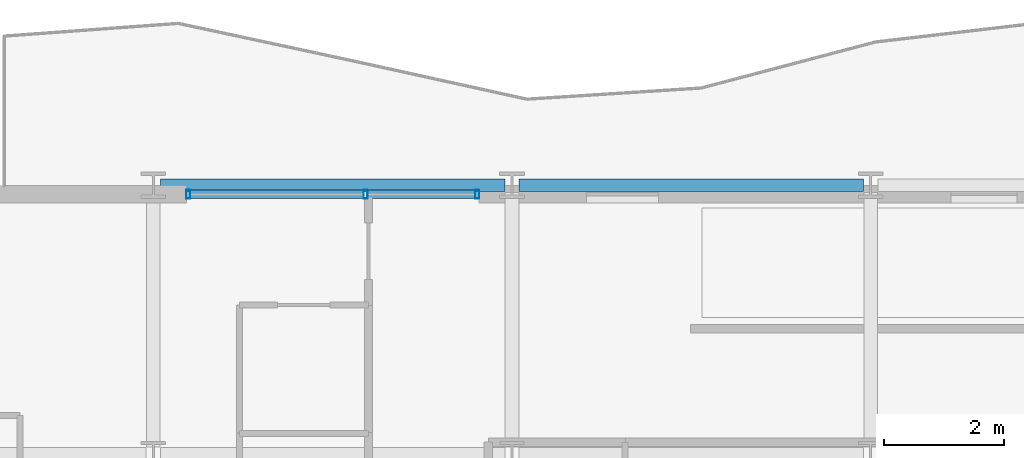
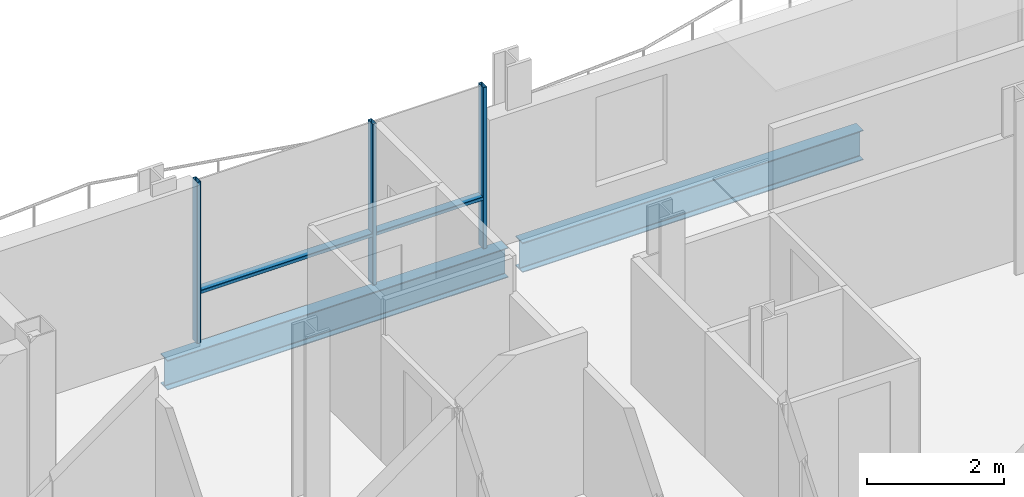
# One storey, part 21 of 41: 5 members, 2 beams, 1 element without a shape of its own.
"""IFC4 building model written with IfcOpenShell, lengths in metres."""

from ifc_helpers import new_model, si_unit, direction, frame, origin, origin_2d, place, context, subcontext, project, spatial, hollow_rectangle, i_section, extrude, material, layer, layer_set, material_profile, profile_set, type_object, element, aggregate, save


model = new_model("IFC4")

# Units and contexts
model_context = context("Model", 3, precision=1e-05, world=origin(), true_north=direction((0.0, 1.0)))
body_context = subcontext(model_context, "Body", "Model", "MODEL_VIEW")
ifc_project = project(units=[si_unit("LENGTHUNIT", "METRE"), si_unit("AREAUNIT", "SQUARE_METRE"), si_unit("VOLUMEUNIT", "CUBIC_METRE"), si_unit("PLANEANGLEUNIT", "RADIAN"), si_unit("MASSUNIT", "GRAM", prefix="KILO")], contexts=[model_context])

# Site, building, storey
site_placement = place(None, origin())
site = spatial("IfcSite", under=ifc_project, at=site_placement, CompositionType="ELEMENT")
building_placement = place(site_placement, origin())
building = spatial("IfcBuilding", under=site, at=building_placement, Name="Brevholm Reach", CompositionType="ELEMENT")
storey_placement = place(building_placement, frame((0.0, 0.0, 100.39990234375)))
storey = spatial("IfcBuildingStorey", under=building, at=storey_placement, Name="L29", CompositionType="ELEMENT", Elevation=100.39990234375)

# Beams
ifc_material_1 = material(Name="Structural Steel S355J2", Category="steel")
ifc_material_profile_1 = material_profile(ifc_material_1, i_section(OverallWidth=0.209228515625, OverallDepth=0.533203125, WebThickness=0.010009765625, FlangeThickness=0.015625, FilletRadius=0.0126953125, at=origin_2d()), Name="UKB 533x210x92")
ifc_profile_set_1 = profile_set([ifc_material_profile_1], Name="Structural Steel S355J2")
beam_type = type_object("IfcBeamType", Name="BM-SP533", PredefinedType="SPANDREL", material=ifc_profile_set_1)
for number, where, z_axis, x_axis, name in (
    (1, (6.1201171875, 31.0, -0.486572265625), (1.0, 0.0, 0.0), (0.0, 1.0, 0.0), "L29 SP-02 Framing Beam"),
    (2, (12.1201171875, 31.0, -0.486572265625), (1.0, 0.0, 0.0), (0.0, 1.0, 0.0), "L29 SP-02 Framing Beam"),
):
    element("IfcBeam", number, at=place(storey_placement, frame(where, z_axis=z_axis, x_axis=x_axis)), inside=storey, type_object=beam_type, Name=name, PredefinedType="SPANDREL", context=body_context, shape_type="SweptSolid", body=[
        extrude(i_section(OverallWidth=0.209228515625, OverallDepth=0.533203125, WebThickness=0.010009765625, FlangeThickness=0.015625, FilletRadius=0.0126953125, at=origin_2d()), origin(), (0.0, 0.0, 1.0), 5.759765625),
    ])

# Curtain wall, members
ifc_material_2 = material(Name="Dark Anodised Aluminium 6063-T6 and Solar-Control Glass", Category="aluminium")
ifc_layer = layer(ifc_material_2, 0.14990234375)
ifc_layer_set = layer_set([ifc_layer], Name="Dark Anodised Aluminium 6063-T6 and Solar-Control Glass")
curtain_wall_type = type_object("IfcCurtainWallType", Name="CW-01", PredefinedType="NOTDEFINED", material=ifc_layer_set)
curtain_wall_placement = place(storey_placement, origin())
curtain_wall = element("IfcCurtainWall", 3, at=curtain_wall_placement, inside=storey, type_object=curtain_wall_type, Name="L29 Curtain Wall CW-01", PredefinedType="NOTDEFINED")
ifc_material_3 = material(Name="Dark Anodised Aluminium 6063-T6", Category="aluminium")
ifc_material_profile_2 = material_profile(ifc_material_3, hollow_rectangle(XDim=0.06494140625, YDim=0.14990234375, WallThickness=0.0048828125, InnerFilletRadius=0.0048828125, OuterFilletRadius=0.010009765625, at=origin_2d()), Name="RHS 150x65x5")
ifc_profile_set_2 = profile_set([ifc_material_profile_2], Name="Dark Anodised Aluminium 6063-T6")
member_type_1 = type_object("IfcMemberType", Name="CWM-150", PredefinedType="MULLION", material=ifc_profile_set_2)
member_1_placement = place(storey_placement, frame((6.58251953125, 30.85009765625, 0.0), z_axis=(0.0, 0.0, 1.0), x_axis=(1.0, 0.0, 0.0)))
member_1 = element("IfcMember", 4, at=member_1_placement, type_object=member_type_1, Name="CM-150 Mullion 1", PredefinedType="MULLION", context=body_context, shape_type="SweptSolid", body=[
    extrude(hollow_rectangle(XDim=0.06494140625, YDim=0.14990234375, WallThickness=0.0048828125, InnerFilletRadius=0.0048828125, OuterFilletRadius=0.010009765625, at=origin_2d()), origin(), (0.0, 0.0, 1.0), 2.880126953125),
])
member_2_placement = place(storey_placement, frame((9.550048828125, 30.85009765625, 0.0), z_axis=(0.0, 0.0, 1.0), x_axis=(1.0, 0.0, 0.0)))
member_2 = element("IfcMember", 5, at=member_2_placement, type_object=member_type_1, Name="CM-150 Mullion 2", PredefinedType="MULLION", context=body_context, shape_type="SweptSolid", body=[
    extrude(hollow_rectangle(XDim=0.06494140625, YDim=0.14990234375, WallThickness=0.0048828125, InnerFilletRadius=0.0048828125, OuterFilletRadius=0.010009765625, at=origin_2d()), origin(), (0.0, 0.0, 1.0), 2.880126953125),
])
member_3_placement = place(storey_placement, frame((11.41748046875, 30.85009765625, 0.0), z_axis=(0.0, 0.0, 1.0), x_axis=(1.0, 0.0, 0.0)))
member_3 = element("IfcMember", 6, at=member_3_placement, type_object=member_type_1, Name="CM-150 Mullion 3", PredefinedType="MULLION", context=body_context, shape_type="SweptSolid", body=[
    extrude(hollow_rectangle(XDim=0.06494140625, YDim=0.14990234375, WallThickness=0.0048828125, InnerFilletRadius=0.0048828125, OuterFilletRadius=0.010009765625, at=origin_2d()), origin(), (0.0, 0.0, 1.0), 2.880126953125),
])
ifc_material_4 = material(Name="Dark Anodised Aluminium 6063-T6", Category="aluminium")
ifc_material_profile_3 = material_profile(ifc_material_4, hollow_rectangle(XDim=0.06494140625, YDim=0.14990234375, WallThickness=0.0048828125, InnerFilletRadius=0.0048828125, OuterFilletRadius=0.010009765625, at=origin_2d()), Name="RHS 150x65x5")
ifc_profile_set_3 = profile_set([ifc_material_profile_3], Name="Dark Anodised Aluminium 6063-T6")
member_type_2 = type_object("IfcMemberType", Name="CWT-150", PredefinedType="NOTDEFINED", material=ifc_profile_set_3)
member_4_placement = place(storey_placement, frame((6.614990234375, 30.85009765625, 0.900146484375), z_axis=(1.0, 0.0, 0.0), x_axis=(0.0, 0.0, 1.0)))
member_4 = element("IfcMember", 7, at=member_4_placement, type_object=member_type_2, Name="CT-150 Transom 1.1", ObjectType="TRANSOM", PredefinedType="USERDEFINED", context=body_context, shape_type="SweptSolid", body=[
    extrude(hollow_rectangle(XDim=0.06494140625, YDim=0.14990234375, WallThickness=0.0048828125, InnerFilletRadius=0.0048828125, OuterFilletRadius=0.010009765625, at=origin_2d()), origin(), (0.0, 0.0, 1.0), 2.902587890625),
])
member_5_placement = place(storey_placement, frame((9.58251953125, 30.85009765625, 0.900146484375), z_axis=(1.0, 0.0, 0.0), x_axis=(0.0, 0.0, 1.0)))
member_5 = element("IfcMember", 8, at=member_5_placement, type_object=member_type_2, Name="CT-150 Transom 2.1", ObjectType="TRANSOM", PredefinedType="USERDEFINED", context=body_context, shape_type="SweptSolid", body=[
    extrude(hollow_rectangle(XDim=0.06494140625, YDim=0.14990234375, WallThickness=0.0048828125, InnerFilletRadius=0.0048828125, OuterFilletRadius=0.010009765625, at=origin_2d()), origin(), (0.0, 0.0, 1.0), 1.802490234375),
])
aggregate(curtain_wall, [member_1, member_2, member_3, member_4, member_5])

save(model, "model.ifc")
